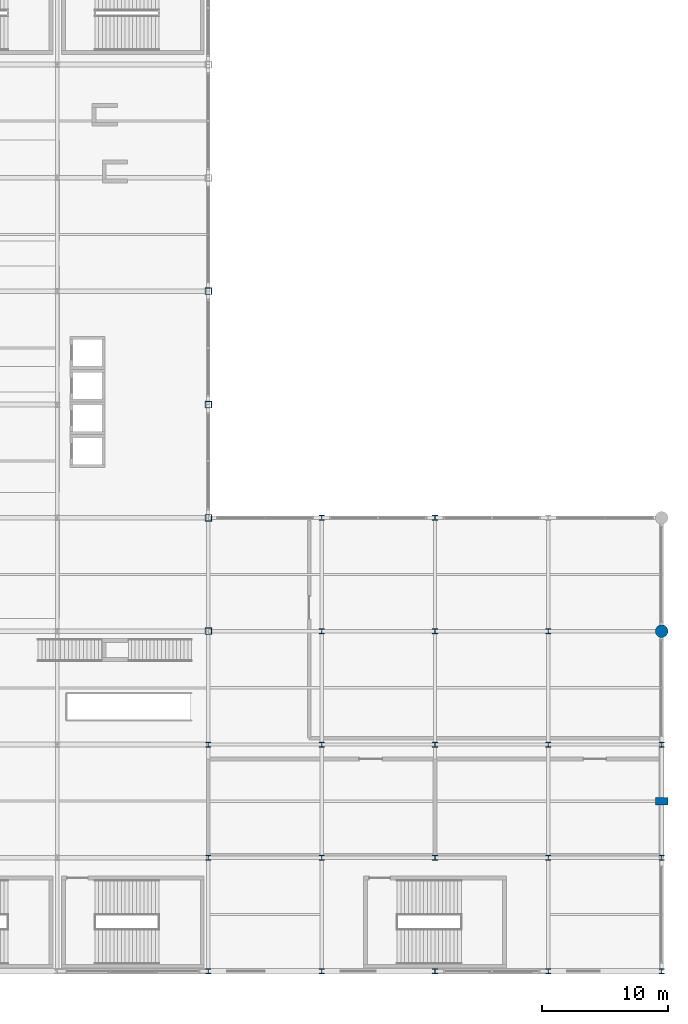
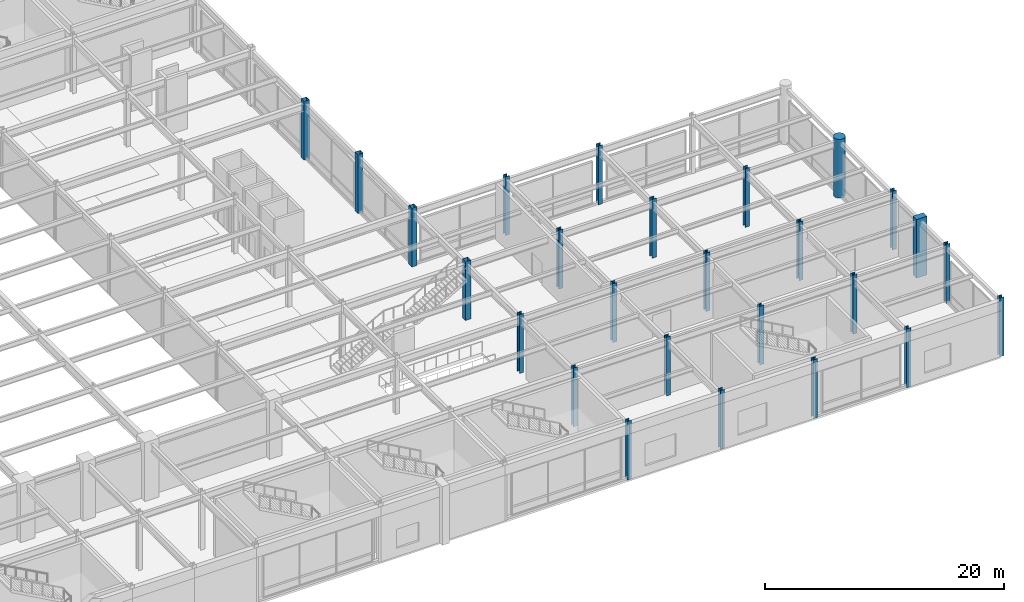
# One storey, part 11 of 105: 26 columns.
"""IFC4 building model written with IfcOpenShell, lengths in metres."""

from ifc_helpers import new_model, si_unit, direction, frame, origin, origin_2d, place, context, subcontext, project, spatial, rectangle, hollow_rectangle, circle, i_section, extrude, material, material_profile, profile_set, type_object, element, save


model = new_model("IFC4")

# Units and contexts
model_context = context("Model", 3, precision=1e-05, world=origin(), true_north=direction((0.0, 1.0)))
body_context = subcontext(model_context, "Body", "Model", "MODEL_VIEW")
ifc_project = project(units=[si_unit("LENGTHUNIT", "METRE"), si_unit("AREAUNIT", "SQUARE_METRE"), si_unit("VOLUMEUNIT", "CUBIC_METRE"), si_unit("PLANEANGLEUNIT", "RADIAN"), si_unit("MASSUNIT", "GRAM", prefix="KILO")], contexts=[model_context])

# Site, building, storey
site_placement = place(None, origin())
site = spatial("IfcSite", under=ifc_project, at=site_placement, CompositionType="ELEMENT")
building_placement = place(site_placement, origin())
building = spatial("IfcBuilding", under=site, at=building_placement, Name="Kaldorvane Square Convention Centre", CompositionType="ELEMENT")
storey_placement = place(building_placement, frame((0.0, 0.0, 6.0)))
storey = spatial("IfcBuildingStorey", under=building, at=storey_placement, Name="L01", CompositionType="ELEMENT", Elevation=6.0)

# Columns
ifc_material_1 = material(Name="Steel ASTM A500 Gr. C", Category="steel")
ifc_material_profile_1 = material_profile(ifc_material_1, hollow_rectangle(XDim=0.50799560546875, YDim=0.50799560546875, WallThickness=0.014801025390625, at=origin_2d()), Name="HSS20X20X5/8")
ifc_profile_set_1 = profile_set([ifc_material_profile_1], Name="Steel ASTM A500 Gr. C")
column_type_1 = type_object("IfcColumnType", Name="COL-HSS-20", PredefinedType="COLUMN", material=ifc_profile_set_1)
for number, where, z_axis, x_axis, name in (
    (1, (138.0, 27.0, 0.0), (0.0, 0.0, 1.0), (1.0, 0.0, 0.0), "Column SC-13 (L01)"),
    (2, (138.0, 36.0, 0.0), (0.0, 0.0, 1.0), (1.0, 0.0, 0.0), "Column SC-13 (L01)"),
    (3, (138.0, 45.0, 0.0), (0.0, 0.0, 1.0), (1.0, 0.0, 0.0), "Column SC-13 (L01)"),
    (4, (138.0, 54.0, 0.0), (0.0, 0.0, 1.0), (1.0, 0.0, 0.0), "Column SC-13 (L01)"),
):
    element("IfcColumn", number, at=place(storey_placement, frame(where, z_axis=z_axis, x_axis=x_axis)), inside=storey, type_object=column_type_1, Name=name, PredefinedType="COLUMN", context=body_context, shape_type="SweptSolid", body=[
        extrude(hollow_rectangle(XDim=0.50799560546875, YDim=0.50799560546875, WallThickness=0.014801025390625, at=origin_2d()), origin(), (0.0, 0.0, 1.0), 6.0),
    ])
ifc_material_2 = material(Name="Concrete f'c = 55 MPa (Normalweight)", Category="concrete")
ifc_material_profile_2 = material_profile(ifc_material_2, circle(Radius=0.5, at=origin_2d()), Name="RC-D1000")
ifc_profile_set_2 = profile_set([ifc_material_profile_2], Name="Concrete f'c = 55 MPa (Normalweight)")
column_type_2 = type_object("IfcColumnType", Name="COL-RC-D1000", PredefinedType="COLUMN", material=ifc_profile_set_2)
column_1_placement = place(storey_placement, frame((174.0, 27.0, 0.0), z_axis=(0.0, 0.0, 1.0), x_axis=(1.0, 0.0, 0.0)))
element("IfcColumn", 5, at=column_1_placement, inside=storey, type_object=column_type_2, Name="Column CC-08 (L01)", PredefinedType="COLUMN", context=body_context, shape_type="SweptSolid", body=[
    extrude(circle(Radius=0.5, at=origin_2d()), origin(), (0.0, 0.0, 1.0), 6.0),
])
ifc_material_3 = material(Name="Steel ASTM A992 Gr. 50", Category="steel")
ifc_material_profile_3 = material_profile(ifc_material_3, i_section(OverallWidth=0.40130615234375, OverallDepth=0.3993072509765625, WebThickness=0.02490234375, FlangeThickness=0.0395965576171875, FilletRadius=0.0305023193359375, at=origin_2d()), Name="W14X211")
ifc_profile_set_3 = profile_set([ifc_material_profile_3], Name="Steel ASTM A992 Gr. 50")
column_type_3 = type_object("IfcColumnType", Name="COL-STL-211", PredefinedType="COLUMN", material=ifc_profile_set_3)
for number, where, z_axis, x_axis, name in (
    (6, (138.0, 0.0, 0.0), (0.0, 0.0, 1.0), (1.0, 0.0, 0.0), "Column SC-08 (L01)"),
    (7, (138.0, 9.0, 0.0), (0.0, 0.0, 1.0), (1.0, 0.0, 0.0), "Column SC-08 (L01)"),
    (8, (138.0, 18.0, 0.0), (0.0, 0.0, 1.0), (1.0, 0.0, 0.0), "Column SC-08 (L01)"),
    (9, (147.0, 0.0, 0.0), (0.0, 0.0, 1.0), (1.0, 0.0, 0.0), "Column SC-08 (L01)"),
    (10, (147.0, 9.0, 0.0), (0.0, 0.0, 1.0), (1.0, 0.0, 0.0), "Column SC-08 (L01)"),
    (11, (147.0, 18.0, 0.0), (0.0, 0.0, 1.0), (1.0, 0.0, 0.0), "Column SC-08 (L01)"),
    (12, (147.0, 27.0, 0.0), (0.0, 0.0, 1.0), (1.0, 0.0, 0.0), "Column SC-08 (L01)"),
    (13, (147.0, 36.0, 0.0), (0.0, 0.0, 1.0), (1.0, 0.0, 0.0), "Column SC-08 (L01)"),
    (14, (156.0, 0.0, 0.0), (0.0, 0.0, 1.0), (1.0, 0.0, 0.0), "Column SC-08 (L01)"),
    (15, (156.0, 9.0, 0.0), (0.0, 0.0, 1.0), (1.0, 0.0, 0.0), "Column SC-08 (L01)"),
    (16, (156.0, 18.0, 0.0), (0.0, 0.0, 1.0), (1.0, 0.0, 0.0), "Column SC-08 (L01)"),
    (17, (156.0, 27.0, 0.0), (0.0, 0.0, 1.0), (1.0, 0.0, 0.0), "Column SC-08 (L01)"),
    (18, (156.0, 36.0, 0.0), (0.0, 0.0, 1.0), (1.0, 0.0, 0.0), "Column SC-08 (L01)"),
    (19, (165.0, 0.0, 0.0), (0.0, 0.0, 1.0), (1.0, 0.0, 0.0), "Column SC-08 (L01)"),
    (20, (165.0, 9.0, 0.0), (0.0, 0.0, 1.0), (1.0, 0.0, 0.0), "Column SC-08 (L01)"),
    (21, (165.0, 18.0, 0.0), (0.0, 0.0, 1.0), (1.0, 0.0, 0.0), "Column SC-08 (L01)"),
    (22, (165.0, 27.0, 0.0), (0.0, 0.0, 1.0), (1.0, 0.0, 0.0), "Column SC-08 (L01)"),
    (23, (174.0, 0.0, 0.0), (0.0, 0.0, 1.0), (1.0, 0.0, 0.0), "Column SC-08 (L01)"),
    (24, (174.0, 9.0, 0.0), (0.0, 0.0, 1.0), (1.0, 0.0, 0.0), "Column SC-08 (L01)"),
    (25, (174.0, 18.0, 0.0), (0.0, 0.0, 1.0), (1.0, 0.0, 0.0), "Column SC-08 (L01)"),
):
    element("IfcColumn", number, at=place(storey_placement, frame(where, z_axis=z_axis, x_axis=x_axis)), inside=storey, type_object=column_type_3, Name=name, PredefinedType="COLUMN", context=body_context, shape_type="SweptSolid", body=[
        extrude(i_section(OverallWidth=0.40130615234375, OverallDepth=0.3993072509765625, WebThickness=0.02490234375, FlangeThickness=0.0395965576171875, FilletRadius=0.0305023193359375, at=origin_2d()), origin(), (0.0, 0.0, 1.0), 6.0),
    ])
ifc_material_profile_4 = material_profile(ifc_material_2, rectangle(XDim=0.600006103515625, YDim=1.0, at=origin_2d()), Name="PIL1000X600")
ifc_profile_set_4 = profile_set([ifc_material_profile_4], Name="Concrete f'c = 55 MPa (Normalweight)")
column_type_4 = type_object("IfcColumnType", Name="PIL-BRUT-1000", PredefinedType="PILASTER", material=ifc_profile_set_4)
column_2_placement = place(storey_placement, frame((174.0, 13.5, 0.0), z_axis=(0.0, 0.0, 1.0), x_axis=(0.0, 1.0, 0.0)))
element("IfcColumn", 26, at=column_2_placement, inside=storey, type_object=column_type_4, Name="Brutalist Colonnade Pilaster (L01)", PredefinedType="PILASTER", context=body_context, shape_type="SweptSolid", body=[
    extrude(rectangle(XDim=0.600006103515625, YDim=1.0, at=origin_2d()), origin(), (0.0, 0.0, 1.0), 6.0),
])

save(model, "model.ifc")
